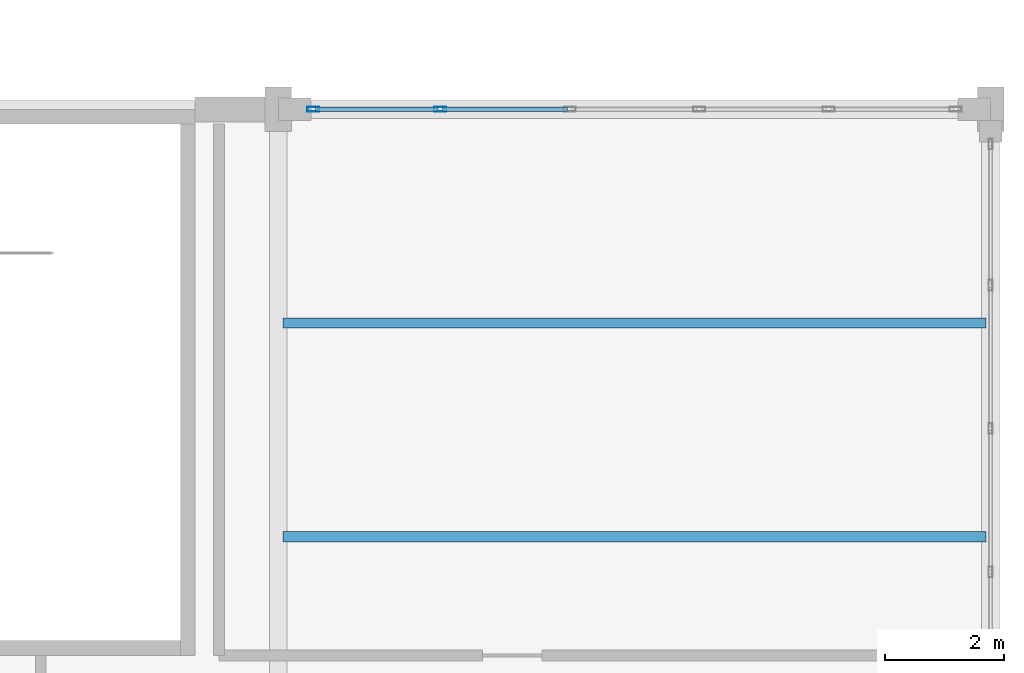
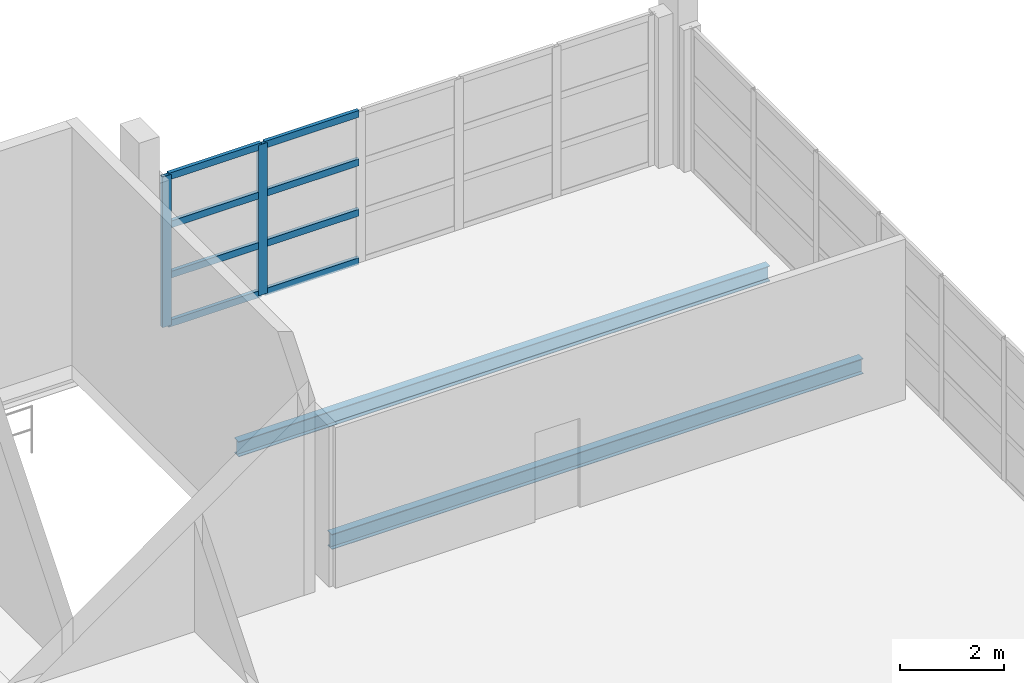
# One storey, part 67 of 86: 10 members, 2 beams, 1 element without a shape of its own.
"""IFC4 building model written with IfcOpenShell, lengths in metres."""

import ifcopenshell
import ifcopenshell.guid

model = None  # the IFC model being written
_history = None  # IfcOwnerHistory: only IFC2X3 demands one
_inside = {}  # id of a spatial element -> (the spatial element, [elements in it])
_under = {}  # id of a project, library or spatial element -> (it, [spatial elements below it])
_declared = {}  # id of a project -> (the project, [libraries it declares])
_typed = {}  # id of a type object -> (the type object, [elements of that type])
_made_of = {}  # id of a material, layer set ... -> (it, [elements and type objects made of it])


def new_model(schema):
    """Start an empty IFC model of exactly this schema.

    Asked for "IFC4X3", IfcOpenShell would pick the latest addendum, in which some entities
    have other attributes; the version numbers below select the first issue.
    IFC2X3 requires an IfcOwnerHistory on every rooted entity: one is made here for all.
    """
    global model, _history
    if schema == "IFC4X3":
        model = ifcopenshell.file(schema_version=(4, 3, 0, 0))
    else:
        model = ifcopenshell.file(schema=schema)
    _inside.clear()
    _under.clear()
    _declared.clear()
    _typed.clear()
    _made_of.clear()
    _history = None
    if model.schema == "IFC2X3":
        org = make("IfcOrganization", Name="unknown")
        user = make(
            "IfcPersonAndOrganization",
            ThePerson=make("IfcPerson", FamilyName="unknown"),
            TheOrganization=org,
        )
        app = make(
            "IfcApplication",
            ApplicationDeveloper=org,
            Version="unknown",
            ApplicationFullName="unknown",
            ApplicationIdentifier="unknown",
        )
        _history = make(
            "IfcOwnerHistory",
            OwningUser=user,
            OwningApplication=app,
            ChangeAction="ADDED",
            CreationDate=0,
        )
    return model


def make(cls, **values):
    """One entity of the class cls with the attributes given. An attribute that is None is left unset."""
    return model.create_entity(
        cls, **{name: value for name, value in values.items() if value is not None}
    )


def rooted(cls, **values):
    """An entity with a GlobalId (a new one), such as an element, a storey or a relation."""
    return make(cls, GlobalId=ifcopenshell.guid.new(), OwnerHistory=_history, **values)


def si_unit(unit_type, name, prefix=None):
    """IfcSIUnit, for example si_unit("LENGTHUNIT", "METRE", prefix="MILLI")."""
    return make("IfcSIUnit", UnitType=unit_type, Prefix=prefix, Name=name)


def assignment(units):
    """IfcUnitAssignment: the units of a project."""
    return None if units is None else make("IfcUnitAssignment", Units=units)


def point(xyz):
    """IfcCartesianPoint."""
    return None if xyz is None else make("IfcCartesianPoint", Coordinates=xyz)


def direction(xyz):
    """IfcDirection."""
    return None if xyz is None else make("IfcDirection", DirectionRatios=xyz)


def frame(location, z_axis=None, x_axis=None):
    """IfcAxis2Placement3D, a coordinate frame: its origin and axes. An axis left out is left unset."""
    return make(
        "IfcAxis2Placement3D",
        Location=point(location),
        Axis=direction(z_axis),
        RefDirection=direction(x_axis),
    )


def frame_2d(location, x_axis=None):
    """IfcAxis2Placement2D, a coordinate frame in the plane: its origin and x axis."""
    return make(
        "IfcAxis2Placement2D", Location=point(location), RefDirection=direction(x_axis)
    )


def origin():
    """The frame at (0, 0, 0) with its axes left unset."""
    return frame((0.0, 0.0, 0.0))


def origin_2d():
    """The frame at (0, 0) in the plane with its x axis left unset."""
    return frame_2d((0.0, 0.0))


def place(relative_to, where):
    """IfcLocalPlacement: puts the frame where relative to a parent placement (None: the world)."""
    return make(
        "IfcLocalPlacement", PlacementRelTo=relative_to, RelativePlacement=where
    )


def context(
    kind, dimensions, precision=None, world=None, true_north=None, identifier=None
):
    """IfcGeometricRepresentationContext, for example the 3D "Model" context."""
    return make(
        "IfcGeometricRepresentationContext",
        ContextIdentifier=identifier,
        ContextType=kind,
        CoordinateSpaceDimension=dimensions,
        Precision=precision,
        WorldCoordinateSystem=world,
        TrueNorth=true_north,
    )


def subcontext(parent, identifier, kind, view, scale=None):
    """IfcGeometricRepresentationSubContext, for example "Body" below "Model"."""
    return make(
        "IfcGeometricRepresentationSubContext",
        ContextIdentifier=identifier,
        ContextType=kind,
        ParentContext=parent,
        TargetScale=scale,
        TargetView=view,
    )


def project(units=None, contexts=None):
    """IfcProject with its units and contexts."""
    return rooted(
        "IfcProject",
        Name="project",
        RepresentationContexts=contexts,
        UnitsInContext=assignment(units),
    )


def spatial(cls, under=None, at=None, **own):
    """A site, building, storey or space (cls), placed at a placement, below another one or the project."""
    s = rooted(cls, ObjectPlacement=at, **own)
    if under is not None:
        _under.setdefault(under.id(), (under, []))[1].append(s)
    return s


def profile(cls, at=None, kind="AREA", **sizes):
    """A parametric profile (cls). Its sizes go by their IFC names, for example OverallWidth=200.0."""
    return make(cls, ProfileType=kind, Position=at, **sizes)


def hollow_rectangle(**sizes):
    """IfcRectangleHollowProfileDef."""
    return profile("IfcRectangleHollowProfileDef", **sizes)


def i_section(**sizes):
    """IfcIShapeProfileDef."""
    return profile("IfcIShapeProfileDef", **sizes)


def extrude(swept, where, along, depth):
    """IfcExtrudedAreaSolid: the profile swept, set in the frame where, extruded along a direction by depth."""
    return make(
        "IfcExtrudedAreaSolid",
        SweptArea=swept,
        Position=where,
        ExtrudedDirection=direction(along),
        Depth=depth,
    )


def shape(context_of_items, identifier, shape_type, items):
    """IfcShapeRepresentation: the items that make up one representation, for example the "Body"."""
    return make(
        "IfcShapeRepresentation",
        ContextOfItems=context_of_items,
        RepresentationIdentifier=identifier,
        RepresentationType=shape_type,
        Items=items,
    )


def material(Name=None, Category=None):
    """IfcMaterial."""
    return make("IfcMaterial", Name=Name, Category=Category)


def layer(
    of_material, thickness, ventilated=None, Name=None, Category=None, Priority=None
):
    """IfcMaterialLayer: one layer of a wall or slab, of a material (None: an air gap)."""
    return make(
        "IfcMaterialLayer",
        Material=of_material,
        LayerThickness=thickness,
        IsVentilated=ventilated,
        Name=Name,
        Category=Category,
        Priority=Priority,
    )


def layer_set(layers, Name=None):
    """IfcMaterialLayerSet."""
    return make("IfcMaterialLayerSet", MaterialLayers=layers, LayerSetName=Name)


def material_profile(
    of_material, cross_section, Name=None, Category=None, Priority=None
):
    """IfcMaterialProfile: a cross section and its material."""
    return make(
        "IfcMaterialProfile",
        Name=Name,
        Material=of_material,
        Profile=cross_section,
        Priority=Priority,
        Category=Category,
    )


def profile_set(profiles, Name=None, composite=None):
    """IfcMaterialProfileSet."""
    return make(
        "IfcMaterialProfileSet",
        Name=Name,
        MaterialProfiles=profiles,
        CompositeProfile=composite,
    )


def made_of(thing, what):
    """Note that an element or type object is made of a material, layer set ...; save() writes the relation."""
    if what is not None:
        _made_of.setdefault(what.id(), (what, []))[1].append(thing)
    return thing


def type_object(cls, material=None, **own):
    """A type object (cls), such as IfcWallType, which elements share."""
    return made_of(rooted(cls, **own), material)


def element(
    cls,
    number,
    at=None,
    inside=None,
    cuts=None,
    type_object=None,
    material=None,
    context=None,
    identifier="Body",
    shape_type=None,
    held_by="IfcProductDefinitionShape",
    body=None,
    shapes=None,
    **own,
):
    """One element of the class cls, such as IfcWall. Its Tag is "e" and its number.

    at: its placement. inside: the storey or other place that contains it. cuts: it is an
    opening in that element (IfcRelVoidsElement). A single representation is given by context,
    identifier, shape_type and body (its items); several are given by shapes. held_by: the class
    of the entity that holds the representations. save() writes the other relations.
    """
    e = rooted(cls, Tag="e%d" % number, ObjectPlacement=at, **own)
    if body is not None:
        shapes = [shape(context, identifier, shape_type, body)]
    if shapes is not None:
        e.Representation = make(held_by, Representations=shapes)
    if inside is not None:
        _inside.setdefault(inside.id(), (inside, []))[1].append(e)
    if cuts is not None:
        rooted(
            "IfcRelVoidsElement", RelatingBuildingElement=cuts, RelatedOpeningElement=e
        )
    if type_object is not None:
        _typed.setdefault(type_object.id(), (type_object, []))[1].append(e)
    return made_of(e, material)


def aggregate(whole, parts):
    """IfcRelAggregates: a whole, such as a stair, and the parts it consists of."""
    return rooted("IfcRelAggregates", RelatingObject=whole, RelatedObjects=parts)


def save(model, path):
    """Write the relations noted so far, then the file.

    IfcRelAggregates (storeys below a building ...), IfcRelContainedInSpatialStructure (elements
    in a storey), IfcRelDefinesByType, IfcRelAssociatesMaterial and IfcRelDeclares: one each for
    every whole, place, type object, material and project.
    """
    for whole, parts in _under.values():
        aggregate(whole, parts)
    for where, things in _inside.values():
        rooted(
            "IfcRelContainedInSpatialStructure",
            RelatedElements=things,
            RelatingStructure=where,
        )
    for kind, things in _typed.values():
        rooted("IfcRelDefinesByType", RelatedObjects=things, RelatingType=kind)
    for what, things in _made_of.values():
        rooted("IfcRelAssociatesMaterial", RelatedObjects=things, RelatingMaterial=what)
    for by, libraries in _declared.values():
        rooted("IfcRelDeclares", RelatingContext=by, RelatedDefinitions=libraries)
    model.write(path)


model = new_model("IFC4")

# Units and contexts
model_context = context("Model", 3, precision=1e-05, world=origin(), true_north=direction((0.0, 1.0)))
body_context = subcontext(model_context, "Body", "Model", "MODEL_VIEW")
ifc_project = project(units=[si_unit("LENGTHUNIT", "METRE"), si_unit("AREAUNIT", "SQUARE_METRE"), si_unit("VOLUMEUNIT", "CUBIC_METRE"), si_unit("PLANEANGLEUNIT", "RADIAN"), si_unit("MASSUNIT", "GRAM", prefix="KILO")], contexts=[model_context])

# Site, building, storey
site_placement = place(None, origin())
site = spatial("IfcSite", under=ifc_project, at=site_placement, CompositionType="ELEMENT")
building_placement = place(site_placement, origin())
building = spatial("IfcBuilding", under=site, at=building_placement, Name="Zilviju Railside Exhibition Hall", CompositionType="ELEMENT")
storey_placement = place(building_placement, frame((0.0, 0.0, 12.60009765625)))
storey = spatial("IfcBuildingStorey", under=building, at=storey_placement, Name="L04", CompositionType="ELEMENT", Elevation=12.60009765625)

# Beams
ifc_material_1 = material(Name="Steel S355J2", Category="steel")
ifc_material_profile_1 = material_profile(ifc_material_1, i_section(OverallWidth=0.169921875, OverallDepth=0.360107421875, WebThickness=0.008056640625, FlangeThickness=0.0126953125, at=origin_2d()), Name="IPE 360")
ifc_profile_set_1 = profile_set([ifc_material_profile_1], Name="Steel S355J2")
beam_type = type_object("IfcBeamType", Name="BM-IPE360", PredefinedType="JOIST", material=ifc_profile_set_1)
for number, where, z_axis, x_axis, name in (
    (1, (204.080078125, 130.800048828125, -0.510009765625), (1.0, 0.0, 0.0), (0.0, 1.0, 0.0), "Composite Floor Joist L04 Y=130.80 (204.0..216.0)"),
    (2, (204.080078125, 134.39990234375, -0.510009765625), (1.0, 0.0, 0.0), (0.0, 1.0, 0.0), "Composite Floor Joist L04 Y=134.40 (204.0..216.0)"),
):
    element("IfcBeam", number, at=place(storey_placement, frame(where, z_axis=z_axis, x_axis=x_axis)), inside=storey, type_object=beam_type, Name=name, PredefinedType="JOIST", context=body_context, shape_type="SweptSolid", body=[
        extrude(i_section(OverallWidth=0.169921875, OverallDepth=0.360107421875, WebThickness=0.008056640625, FlangeThickness=0.0126953125, at=origin_2d()), origin(), (0.0, 0.0, 1.0), 11.83984375),
    ])

# Curtain wall, members
ifc_material_2 = material(Name="Thermally broken aluminium-steel triple-glazed curtain wall", Category="steel")
ifc_layer = layer(ifc_material_2, 0.179931640625)
ifc_layer_set = layer_set([ifc_layer], Name="Thermally broken aluminium-steel triple-glazed curtain wall")
curtain_wall_type = type_object("IfcCurtainWallType", Name="CW-BAY-12", PredefinedType="USERDEFINED", material=ifc_layer_set)
curtain_wall_placement = place(storey_placement, origin())
curtain_wall = element("IfcCurtainWall", 3, at=curtain_wall_placement, inside=storey, type_object=curtain_wall_type, Name="North Hall Clerestory Curtain Wall L04 (204..216)", ObjectType="GLAZED CURTAIN WALL", PredefinedType="USERDEFINED")
ifc_material_3 = material(Name="Thermally broken anodized aluminium mullion", Category="aluminium")
ifc_material_profile_2 = material_profile(ifc_material_3, hollow_rectangle(XDim=0.080078125, YDim=0.199951171875, WallThickness=0.0048828125, at=origin_2d()), Name="MULLION 200x80x5")
ifc_profile_set_2 = profile_set([ifc_material_profile_2], Name="Thermally broken anodized aluminium mullion")
member_type_1 = type_object("IfcMemberType", Name="CWM-80x200", PredefinedType="MULLION", material=ifc_profile_set_2)
member_1_placement = place(storey_placement, frame((204.590087890625, 138.0, 0.0), z_axis=(0.0, 0.0, 1.0), x_axis=(0.0, 1.0, 0.0)))
member_1 = element("IfcMember", 4, at=member_1_placement, type_object=member_type_1, Name="CW-12 mullion 1", PredefinedType="MULLION", context=body_context, shape_type="SweptSolid", body=[
    extrude(hollow_rectangle(XDim=0.080078125, YDim=0.199951171875, WallThickness=0.0048828125, at=origin_2d()), origin(), (0.0, 0.0, 1.0), 3.5498046875),
])
member_2_placement = place(storey_placement, frame((206.72998046875, 138.0, 0.0), z_axis=(0.0, 0.0, 1.0), x_axis=(0.0, 1.0, 0.0)))
member_2 = element("IfcMember", 5, at=member_2_placement, type_object=member_type_1, Name="CW-12 mullion 2", PredefinedType="MULLION", context=body_context, shape_type="SweptSolid", body=[
    extrude(hollow_rectangle(XDim=0.080078125, YDim=0.199951171875, WallThickness=0.0048828125, at=origin_2d()), origin(), (0.0, 0.0, 1.0), 3.5498046875),
])
ifc_material_4 = material(Name="Thermally broken anodized aluminium transom", Category="aluminium")
ifc_material_profile_3 = material_profile(ifc_material_4, hollow_rectangle(XDim=0.080078125, YDim=0.159912109375, WallThickness=0.0048828125, at=origin_2d()), Name="TRANSOM 160x80x5")
ifc_profile_set_3 = profile_set([ifc_material_profile_3], Name="Thermally broken anodized aluminium transom")
member_type_2 = type_object("IfcMemberType", Name="CWT-80x160", PredefinedType="USERDEFINED", material=ifc_profile_set_3)
member_3_placement = place(storey_placement, frame((204.6298828125, 138.0, 0.039794921875), z_axis=(1.0, 0.0, 0.0), x_axis=(0.0, 1.0, 0.0)))
member_3 = element("IfcMember", 6, at=member_3_placement, type_object=member_type_2, Name="CW-12 transom 1.1", ObjectType="TRANSOM", PredefinedType="USERDEFINED", context=body_context, shape_type="SweptSolid", body=[
    extrude(hollow_rectangle(XDim=0.080078125, YDim=0.159912109375, WallThickness=0.0048828125, at=origin_2d()), origin(), (0.0, 0.0, 1.0), 2.06005859375),
])
member_4_placement = place(storey_placement, frame((204.6298828125, 138.0, 1.182861328125), z_axis=(1.0, 0.0, 0.0), x_axis=(0.0, 1.0, 0.0)))
member_4 = element("IfcMember", 7, at=member_4_placement, type_object=member_type_2, Name="CW-12 transom 1.2", ObjectType="TRANSOM", PredefinedType="USERDEFINED", context=body_context, shape_type="SweptSolid", body=[
    extrude(hollow_rectangle(XDim=0.080078125, YDim=0.159912109375, WallThickness=0.0048828125, at=origin_2d()), origin(), (0.0, 0.0, 1.0), 2.06005859375),
])
member_5_placement = place(storey_placement, frame((204.6298828125, 138.0, 2.366943359375), z_axis=(1.0, 0.0, 0.0), x_axis=(0.0, 1.0, 0.0)))
member_5 = element("IfcMember", 8, at=member_5_placement, type_object=member_type_2, Name="CW-12 transom 1.3", ObjectType="TRANSOM", PredefinedType="USERDEFINED", context=body_context, shape_type="SweptSolid", body=[
    extrude(hollow_rectangle(XDim=0.080078125, YDim=0.159912109375, WallThickness=0.0048828125, at=origin_2d()), origin(), (0.0, 0.0, 1.0), 2.06005859375),
])
member_6_placement = place(storey_placement, frame((204.6298828125, 138.0, 3.510009765625), z_axis=(1.0, 0.0, 0.0), x_axis=(0.0, 1.0, 0.0)))
member_6 = element("IfcMember", 9, at=member_6_placement, type_object=member_type_2, Name="CW-12 transom 1.4", ObjectType="TRANSOM", PredefinedType="USERDEFINED", context=body_context, shape_type="SweptSolid", body=[
    extrude(hollow_rectangle(XDim=0.080078125, YDim=0.159912109375, WallThickness=0.0048828125, at=origin_2d()), origin(), (0.0, 0.0, 1.0), 2.06005859375),
])
member_7_placement = place(storey_placement, frame((206.77001953125, 138.0, 0.039794921875), z_axis=(1.0, 0.0, 0.0), x_axis=(0.0, 1.0, 0.0)))
member_7 = element("IfcMember", 10, at=member_7_placement, type_object=member_type_2, Name="CW-12 transom 2.1", ObjectType="TRANSOM", PredefinedType="USERDEFINED", context=body_context, shape_type="SweptSolid", body=[
    extrude(hollow_rectangle(XDim=0.080078125, YDim=0.159912109375, WallThickness=0.0048828125, at=origin_2d()), origin(), (0.0, 0.0, 1.0), 2.10009765625),
])
member_8_placement = place(storey_placement, frame((206.77001953125, 138.0, 1.182861328125), z_axis=(1.0, 0.0, 0.0), x_axis=(0.0, 1.0, 0.0)))
member_8 = element("IfcMember", 11, at=member_8_placement, type_object=member_type_2, Name="CW-12 transom 2.2", ObjectType="TRANSOM", PredefinedType="USERDEFINED", context=body_context, shape_type="SweptSolid", body=[
    extrude(hollow_rectangle(XDim=0.080078125, YDim=0.159912109375, WallThickness=0.0048828125, at=origin_2d()), origin(), (0.0, 0.0, 1.0), 2.10009765625),
])
member_9_placement = place(storey_placement, frame((206.77001953125, 138.0, 2.366943359375), z_axis=(1.0, 0.0, 0.0), x_axis=(0.0, 1.0, 0.0)))
member_9 = element("IfcMember", 12, at=member_9_placement, type_object=member_type_2, Name="CW-12 transom 2.3", ObjectType="TRANSOM", PredefinedType="USERDEFINED", context=body_context, shape_type="SweptSolid", body=[
    extrude(hollow_rectangle(XDim=0.080078125, YDim=0.159912109375, WallThickness=0.0048828125, at=origin_2d()), origin(), (0.0, 0.0, 1.0), 2.10009765625),
])
member_10_placement = place(storey_placement, frame((206.77001953125, 138.0, 3.510009765625), z_axis=(1.0, 0.0, 0.0), x_axis=(0.0, 1.0, 0.0)))
member_10 = element("IfcMember", 13, at=member_10_placement, type_object=member_type_2, Name="CW-12 transom 2.4", ObjectType="TRANSOM", PredefinedType="USERDEFINED", context=body_context, shape_type="SweptSolid", body=[
    extrude(hollow_rectangle(XDim=0.080078125, YDim=0.159912109375, WallThickness=0.0048828125, at=origin_2d()), origin(), (0.0, 0.0, 1.0), 2.10009765625),
])
aggregate(curtain_wall, [member_1, member_2, member_3, member_4, member_5, member_6, member_7, member_8, member_9, member_10])

save(model, "model.ifc")
